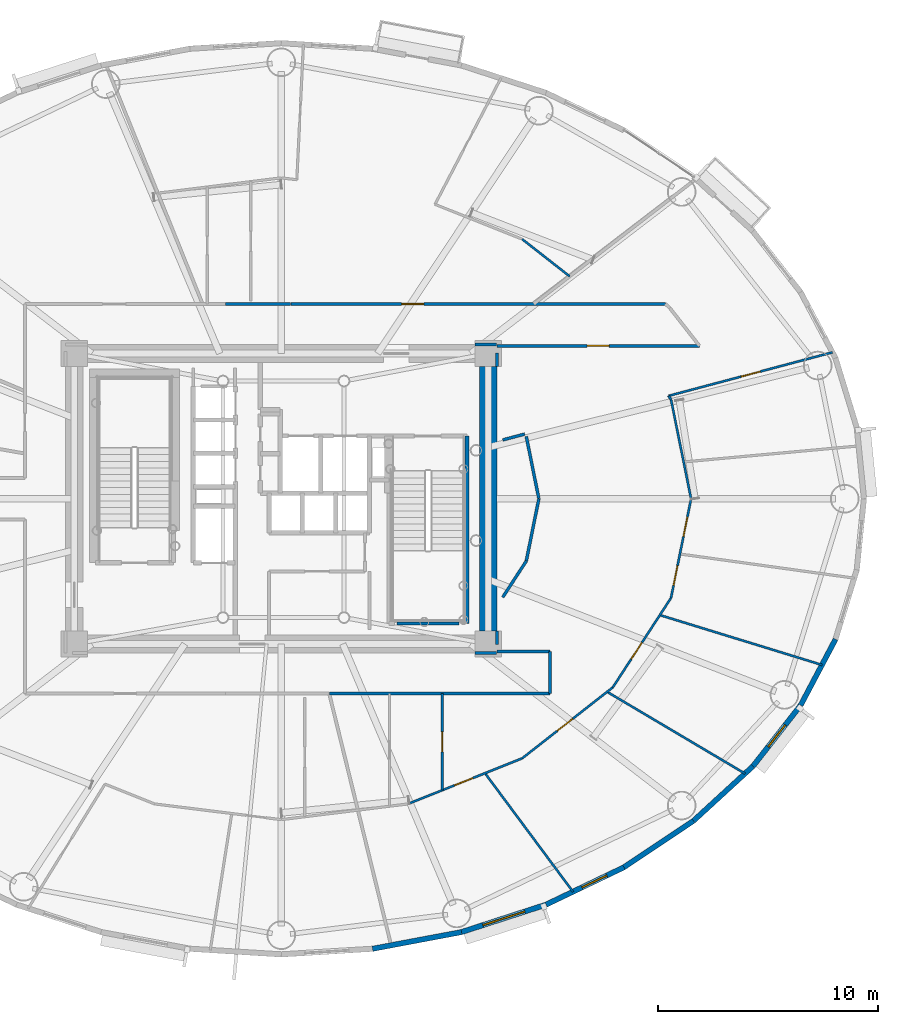
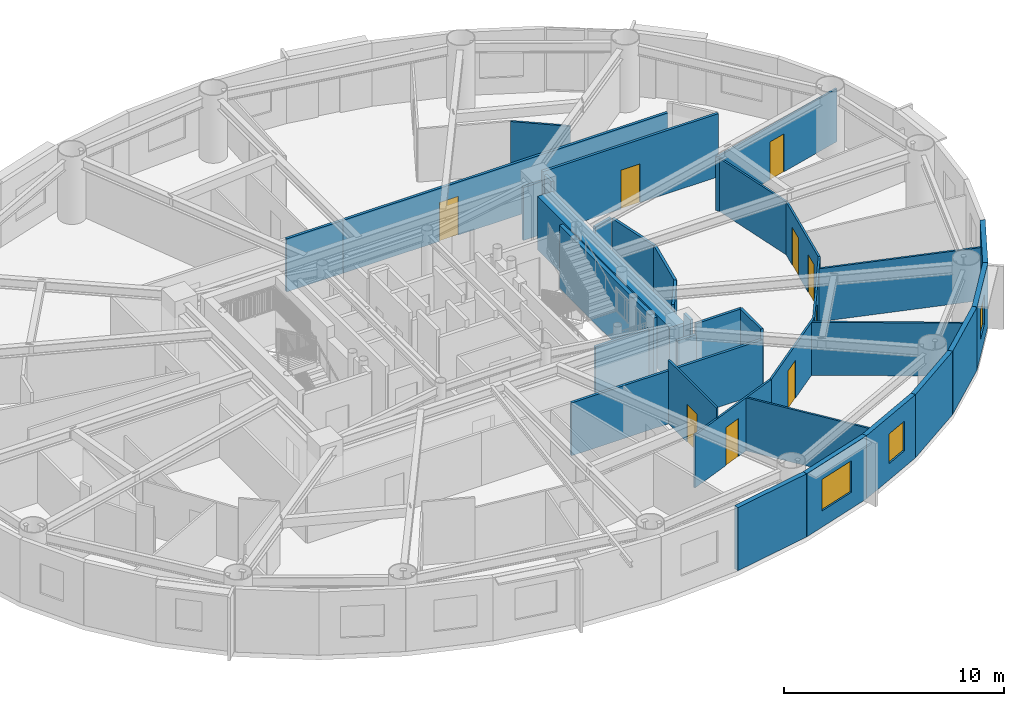
# One storey, part 12 of 21: 36 walls, 9 doors, 3 windows, 12 openings.
"""IFC4 building model written with IfcOpenShell, lengths in metres."""

from ifc_helpers import new_model, si_unit, direction, frame, frame_2d, origin, origin_2d, place, context, subcontext, project, spatial, rectangle, extrude, source, transform, mapped, material, layer, layer_set, type_object, element, fill, save


model = new_model("IFC4")

# Units and contexts
model_context = context("Model", 3, precision=1e-05, world=origin(), true_north=direction((0.0, 1.0)))
body_context = subcontext(model_context, "Body", "Model", "MODEL_VIEW")
ifc_project = project(units=[si_unit("LENGTHUNIT", "METRE"), si_unit("AREAUNIT", "SQUARE_METRE"), si_unit("VOLUMEUNIT", "CUBIC_METRE"), si_unit("PLANEANGLEUNIT", "RADIAN"), si_unit("MASSUNIT", "GRAM", prefix="KILO")], contexts=[model_context])

# Site, building, storey
site_placement = place(None, origin())
site = spatial("IfcSite", under=ifc_project, at=site_placement, CompositionType="ELEMENT")
building_placement = place(site_placement, origin())
building = spatial("IfcBuilding", under=site, at=building_placement, Name="Linh Dai School and Residence Tower", CompositionType="ELEMENT")
storey_placement = place(building_placement, frame((0.0, 0.0, 189.89990234375)))
storey = spatial("IfcBuildingStorey", under=building, at=storey_placement, Name="L46", CompositionType="ELEMENT", Elevation=189.89990234375)

# Wall
ifc_material_1 = material(Name="Precast Concrete B45 (C35/45)", Category="concrete")
ifc_layer_1 = layer(ifc_material_1, 0.239990234375)
ifc_layer_set_1 = layer_set([ifc_layer_1], Name="Precast Concrete B45 (C35/45)")
wall_type_1 = type_object("IfcWallType", Name="EW-TC-240", PredefinedType="SOLIDWALL", material=ifc_layer_set_1)
wall_1_placement = place(storey_placement, frame((44.18896484375, 7.310546875, 0.0), z_axis=(0.0, 0.0, 1.0), x_axis=(-0.982788108205, -0.184736391573, 0.0)))
element("IfcWall", 1, at=wall_1_placement, inside=storey, type_object=wall_type_1, Name="L46 Terracotta Exterior Wall 32", PredefinedType="SOLIDWALL", context=body_context, shape_type="SweptSolid", body=[
    extrude(rectangle(XDim=4.114013671875, YDim=0.239990234375, at=frame_2d((2.05712890625, 0.0))), origin(), (0.0, 0.0, 1.0), 3.5),
])

# Wall, opening, window
wall_2_placement = place(storey_placement, frame((48.02978515625, 8.556396484375, 0.0), z_axis=(0.0, 0.0, 1.0), x_axis=(-0.951209870236, -0.30854462038, 0.0)))
wall_2 = element("IfcWall", 2, at=wall_2_placement, inside=storey, type_object=wall_type_1, Name="L46 Terracotta Exterior Wall 33", PredefinedType="SOLIDWALL", context=body_context, shape_type="SweptSolid", body=[
    extrude(rectangle(XDim=4.037841796875, YDim=0.239990234375, at=frame_2d((2.01904296875, 0.0))), origin(), (0.0, 0.0, 1.0), 3.5),
])
opening_1_placement = place(wall_2_placement, frame((1.01904296875, 0.0, 0.89990234375)))
opening_1 = element("IfcOpeningElement", 3, at=opening_1_placement, cuts=wall_2, Name="Opening W1", PredefinedType="OPENING", context=body_context, shape_type="SweptSolid", body=[
    extrude(rectangle(XDim=2.0, YDim=1.75, at=origin_2d()), frame((1.0, 0.1298828125, 0.875), z_axis=(0.0, -1.0, 0.0), x_axis=(1.0, 0.0, 0.0)), (0.0, 0.0, 1.0), 0.260009765625),
])
ifc_material_2 = material(Name="Double Low-E Insulated Glazing", Category="glass")
window_type_1 = type_object("IfcWindowType", Name="WN-RES-2000x1750", PartitioningType="DOUBLE_PANEL_VERTICAL", PredefinedType="WINDOW", material=ifc_material_2)
shared_shape_1 = source(origin(), body_context, "Body", "SweptSolid", [
    extrude(rectangle(XDim=2.0, YDim=1.75, at=origin_2d()), frame((1.0, 0.030029296875, 0.875), z_axis=(0.0, -1.0, 0.0), x_axis=(1.0, 0.0, 0.0)), (0.0, 0.0, 1.0), 0.06005859375),
])
window_1_placement = place(opening_1_placement, origin())
window_1 = element("IfcWindow", 4, at=window_1_placement, inside=storey, type_object=window_type_1, Name="L46 Exterior Window 33.1", OverallHeight=1.75, OverallWidth=2.0, PartitioningType="DOUBLE_PANEL_VERTICAL", PredefinedType="WINDOW", context=body_context, shape_type="MappedRepresentation", body=[
    mapped(shared_shape_1, transform((0.0, 0.0, 0.0), x_axis=(1.0, 0.0, 0.0), y_axis=(0.0, 1.0, 0.0), z_axis=(0.0, 0.0, 1.0), scale=1.0)),
])
fill(opening_1, window_1)

wall_3_placement = place(storey_placement, frame((51.5732421875, 10.2568359375, 0.0), z_axis=(0.0, 0.0, 1.0), x_axis=(-0.901564733809, -0.432644231155, 0.0)))
wall_3 = element("IfcWall", 5, at=wall_3_placement, inside=storey, type_object=wall_type_1, Name="L46 Terracotta Exterior Wall 34", PredefinedType="SOLIDWALL", context=body_context, shape_type="SweptSolid", body=[
    extrude(rectangle(XDim=3.930419921875, YDim=0.239990234375, at=frame_2d((1.96533203125, 0.0))), origin(), (0.0, 0.0, 1.0), 3.5),
])
opening_2_placement = place(wall_3_placement, frame((0.8681640625, 0.0, 0.89990234375)))
opening_2 = element("IfcOpeningElement", 6, at=opening_2_placement, cuts=wall_3, Name="Opening W3", PredefinedType="OPENING", context=body_context, shape_type="SweptSolid", body=[
    extrude(rectangle(XDim=1.25, YDim=1.64990234375, at=origin_2d()), frame((0.625, 0.1298828125, 0.824951171875), z_axis=(0.0, -1.0, 0.0), x_axis=(1.0, 0.0, 0.0)), (0.0, 0.0, 1.0), 0.260009765625),
])
window_type_2 = type_object("IfcWindowType", Name="WN-RES-1250x1650", PartitioningType="SINGLE_PANEL", PredefinedType="WINDOW", material=ifc_material_2)
shared_shape_2 = source(origin(), body_context, "Body", "SweptSolid", [
    extrude(rectangle(XDim=1.25, YDim=1.64990234375, at=origin_2d()), frame((0.625, 0.030029296875, 0.824951171875), z_axis=(0.0, -1.0, 0.0), x_axis=(1.0, 0.0, 0.0)), (0.0, 0.0, 1.0), 0.06005859375),
])
window_2_placement = place(opening_2_placement, origin())
window_2 = element("IfcWindow", 7, at=window_2_placement, inside=storey, type_object=window_type_2, Name="L46 Exterior Window 34.1", OverallHeight=1.64990234375, OverallWidth=1.25, PartitioningType="SINGLE_PANEL", PredefinedType="WINDOW", context=body_context, shape_type="MappedRepresentation", body=[
    mapped(shared_shape_2, transform((0.0, 0.0, 0.0), x_axis=(1.0, 0.0, 0.0), y_axis=(0.0, 1.0, 0.0), z_axis=(0.0, 0.0, 1.0), scale=1.0)),
])
fill(opening_2, window_2)

# Walls
wall_4_placement = place(storey_placement, frame((54.73193359375, 12.369384765625, 0.0), z_axis=(0.0, 0.0, 1.0), x_axis=(-0.831228998277, -0.555930168657, 0.0)))
element("IfcWall", 8, at=wall_4_placement, inside=storey, type_object=wall_type_1, Name="L46 Terracotta Exterior Wall 35", PredefinedType="SOLIDWALL", context=body_context, shape_type="SweptSolid", body=[
    extrude(rectangle(XDim=3.800048828125, YDim=0.239990234375, at=frame_2d((1.89990234375, 0.0))), origin(), (0.0, 0.0, 1.0), 3.5),
])
wall_5_placement = place(storey_placement, frame((57.42822265625, 14.841552734375, 0.0), z_axis=(0.0, 0.0, 1.0), x_axis=(-0.737076565834, -0.675809245349, 0.0)))
element("IfcWall", 9, at=wall_5_placement, inside=storey, type_object=wall_type_1, Name="L46 Terracotta Exterior Wall 36", PredefinedType="SOLIDWALL", context=body_context, shape_type="SweptSolid", body=[
    extrude(rectangle(XDim=3.658203125, YDim=0.239990234375, at=frame_2d((1.8291015625, 0.0))), origin(), (0.0, 0.0, 1.0), 3.5),
])

# Wall, opening, window
wall_6_placement = place(storey_placement, frame((59.595947265625, 17.611572265625, 0.0), z_axis=(0.0, 0.0, 1.0), x_axis=(-0.616287674549, -0.787521112224, 0.0)))
wall_6 = element("IfcWall", 10, at=wall_6_placement, inside=storey, type_object=wall_type_1, Name="L46 Terracotta Exterior Wall 37", PredefinedType="SOLIDWALL", context=body_context, shape_type="SweptSolid", body=[
    extrude(rectangle(XDim=3.517333984375, YDim=0.239990234375, at=frame_2d((1.7587890625, 0.0))), origin(), (0.0, 0.0, 1.0), 3.5),
])
opening_3_placement = place(wall_6_placement, frame((1.1337890625, 0.0, 0.89990234375)))
opening_3 = element("IfcOpeningElement", 11, at=opening_3_placement, cuts=wall_6, Name="Opening W3", PredefinedType="OPENING", context=body_context, shape_type="SweptSolid", body=[
    extrude(rectangle(XDim=1.25, YDim=1.64990234375, at=origin_2d()), frame((0.625, 0.1298828125, 0.824951171875), z_axis=(0.0, -1.0, 0.0), x_axis=(1.0, 0.0, 0.0)), (0.0, 0.0, 1.0), 0.260009765625),
])
window_3_placement = place(opening_3_placement, origin())
window_3 = element("IfcWindow", 12, at=window_3_placement, inside=storey, type_object=window_type_2, Name="L46 Dwelling Window U4602-BD3", OverallHeight=1.64990234375, OverallWidth=1.25, PartitioningType="SINGLE_PANEL", PredefinedType="WINDOW", context=body_context, shape_type="MappedRepresentation", body=[
    mapped(shared_shape_2, transform((0.0, 0.0, 0.0), x_axis=(1.0, 0.0, 0.0), y_axis=(0.0, 1.0, 0.0), z_axis=(0.0, 0.0, 1.0), scale=1.0)),
])
fill(opening_3, window_3)

# Wall
wall_7_placement = place(storey_placement, frame((61.1826171875, 20.611083984375, 0.0), z_axis=(0.0, 0.0, 1.0), x_axis=(-0.467586874938, -0.88394712194, 0.0)))
element("IfcWall", 13, at=wall_7_placement, inside=storey, type_object=wall_type_1, Name="L46 Terracotta Exterior Wall 38", PredefinedType="SOLIDWALL", context=body_context, shape_type="SweptSolid", body=[
    extrude(rectangle(XDim=3.393310546875, YDim=0.239990234375, at=frame_2d((1.69677734375, 0.0))), origin(), (0.0, 0.0, 1.0), 3.5),
])

# Wall, opening, door
ifc_material_3 = material(Name="Autoclaved Aerated Concrete Blockwork", Category="masonry")
ifc_layer_2 = layer(ifc_material_3, 0.135009765625)
ifc_layer_set_2 = layer_set([ifc_layer_2], Name="Autoclaved Aerated Concrete Blockwork")
wall_type_2 = type_object("IfcWallType", Name="IW-CORR-135-EI90", PredefinedType="PARTITIONING", material=ifc_layer_set_2)
wall_8_placement = place(storey_placement, frame((36.430908203125, 35.85009765625, 0.0), z_axis=(0.0, 0.0, 1.0), x_axis=(1.0, 0.0, 0.0)))
wall_8 = element("IfcWall", 14, at=wall_8_placement, inside=storey, type_object=wall_type_2, Name="L46 Interior Partition Wall 055", PredefinedType="PARTITIONING", context=body_context, shape_type="SweptSolid", body=[
    extrude(rectangle(XDim=17.02294921875, YDim=0.135009765625, at=frame_2d((8.511474609375, 0.0))), origin(), (0.0, 0.0, 1.0), 2.93505859375),
])
opening_4_placement = place(wall_8_placement, frame((5.04248046875, 0.0, 0.0)))
opening_4 = element("IfcOpeningElement", 15, at=opening_4_placement, cuts=wall_8, Name="Opening D03", PredefinedType="OPENING", context=body_context, shape_type="SweptSolid", body=[
    extrude(rectangle(XDim=1.0, YDim=2.14990234375, at=origin_2d()), frame((0.5, 0.07763671875, 1.074951171875), z_axis=(0.0, -1.0, 0.0), x_axis=(1.0, 0.0, 0.0)), (0.0, 0.0, 1.0), 0.155029296875),
])
ifc_material_4 = material(Name="Fire-Rated Solid Timber Entrance Door", Category="wood")
door_type_1 = type_object("IfcDoorType", Name="DR-FLAT-1000x2150-FD60S", OperationType="NOTDEFINED", PredefinedType="DOOR", material=ifc_material_4)
shared_shape_3 = source(origin(), body_context, "Body", "SweptSolid", [
    extrude(rectangle(XDim=1.0, YDim=2.14990234375, at=origin_2d()), frame((0.5, 0.02490234375, 1.074951171875), z_axis=(0.0, -1.0, 0.0), x_axis=(1.0, 0.0, 0.0)), (0.0, 0.0, 1.0), 0.050048828125),
])
door_1_placement = place(opening_4_placement, origin())
door_1 = element("IfcDoor", 16, at=door_1_placement, inside=storey, type_object=door_type_1, Name="L46 U4603 Apartment Entrance Door", OperationType="SINGLE_SWING_LEFT", OverallHeight=2.14990234375, OverallWidth=1.0, PredefinedType="DOOR", context=body_context, shape_type="MappedRepresentation", body=[
    mapped(shared_shape_3, transform((0.0, 0.0, 0.0), x_axis=(1.0, 0.0, 0.0), y_axis=(0.0, 1.0, 0.0), z_axis=(0.0, 0.0, 1.0), scale=1.0)),
])
fill(opening_4, door_1)

# Walls
wall_9_placement = place(storey_placement, frame((38.187744140625, 18.14990234375, 0.0), z_axis=(0.0, 0.0, 1.0), x_axis=(1.0, 0.0, 0.0)))
element("IfcWall", 17, at=wall_9_placement, inside=storey, type_object=wall_type_2, Name="L46 Interior Partition Wall 061", PredefinedType="PARTITIONING", context=body_context, shape_type="SweptSolid", body=[
    extrude(rectangle(XDim=10.01220703125, YDim=0.135009765625, at=frame_2d((5.006103515625, 0.0))), origin(), (0.0, 0.0, 1.0), 2.93505859375),
])
wall_10_placement = place(storey_placement, frame((45.800048828125, 20.050048828125, 0.0), z_axis=(0.0, 0.0, 1.0), x_axis=(1.0, 0.0, 0.0)))
element("IfcWall", 18, at=wall_10_placement, inside=storey, type_object=wall_type_2, Name="L46 Interior Partition Wall 075", PredefinedType="PARTITIONING", context=body_context, shape_type="SweptSolid", body=[
    extrude(rectangle(XDim=2.39990234375, YDim=0.135009765625, at=frame_2d((1.199951171875, 0.0))), origin(), (0.0, 0.0, 1.0), 3.5),
])

# Wall, opening, door
wall_11_placement = place(storey_placement, frame((45.800048828125, 33.949951171875, 0.0), z_axis=(0.0, 0.0, 1.0), x_axis=(1.0, 0.0, 0.0)))
wall_11 = element("IfcWall", 19, at=wall_11_placement, inside=storey, type_object=wall_type_2, Name="L46 Interior Partition Wall 076", PredefinedType="PARTITIONING", context=body_context, shape_type="SweptSolid", body=[
    extrude(rectangle(XDim=9.197021484375, YDim=0.135009765625, at=frame_2d((4.5986328125, 0.0))), origin(), (0.0, 0.0, 1.0), 3.5),
])
opening_5_placement = place(wall_11_placement, frame((4.098388671875, 0.0, 0.0)))
opening_5 = element("IfcOpeningElement", 20, at=opening_5_placement, cuts=wall_11, Name="Opening D03", PredefinedType="OPENING", context=body_context, shape_type="SweptSolid", body=[
    extrude(rectangle(XDim=1.0, YDim=2.14990234375, at=origin_2d()), frame((0.5, 0.07763671875, 1.074951171875), z_axis=(0.0, -1.0, 0.0), x_axis=(1.0, 0.0, 0.0)), (0.0, 0.0, 1.0), 0.155029296875),
])
door_2_placement = place(opening_5_placement, origin())
door_2 = element("IfcDoor", 21, at=door_2_placement, inside=storey, type_object=door_type_1, Name="L46 U4602 Apartment Entrance Door", OperationType="SINGLE_SWING_RIGHT", OverallHeight=2.14990234375, OverallWidth=1.0, PredefinedType="DOOR", context=body_context, shape_type="MappedRepresentation", body=[
    mapped(shared_shape_3, transform((0.0, 0.0, 0.0), x_axis=(1.0, 0.0, 0.0), y_axis=(0.0, 1.0, 0.0), z_axis=(0.0, 0.0, 1.0), scale=1.0)),
])
fill(opening_5, door_2)

# Walls
wall_12_placement = place(storey_placement, frame((48.199951171875, 18.14990234375, 0.0), z_axis=(0.0, 0.0, 1.0), x_axis=(0.0, 1.0, 0.0)))
element("IfcWall", 22, at=wall_12_placement, inside=storey, type_object=wall_type_2, Name="L46 Interior Partition Wall 080", PredefinedType="PARTITIONING", context=body_context, shape_type="SweptSolid", body=[
    extrude(rectangle(XDim=1.900146484375, YDim=0.135009765625, at=frame_2d((0.9501953125, 0.0))), origin(), (0.0, 0.0, 1.0), 3.5),
])
wall_13_placement = place(storey_placement, frame((44.080078125, 21.330078125, 0.0), z_axis=(0.0, 0.0, 1.0), x_axis=(-1.0, 0.0, 0.0)))
element("IfcWall", 23, at=wall_13_placement, inside=storey, type_object=wall_type_2, Name="L46 Interior Partition Wall 092", PredefinedType="PARTITIONING", context=body_context, shape_type="SweptSolid", body=[
    extrude(rectangle(XDim=2.820068359375, YDim=0.135009765625, at=frame_2d((1.41015625, 0.0))), origin(), (0.0, 0.0, 1.0), 3.03515625),
])
wall_14_placement = place(storey_placement, frame((33.46875, 35.85009765625, 0.0), z_axis=(0.0, 0.0, 1.0), x_axis=(1.0, 0.0, 0.0)))
element("IfcWall", 24, at=wall_14_placement, inside=storey, type_object=wall_type_2, Name="L46 Interior Partition Wall 098", PredefinedType="PARTITIONING", context=body_context, shape_type="SweptSolid", body=[
    extrude(rectangle(XDim=2.9521484375, YDim=0.135009765625, at=frame_2d((1.47607421875, 0.0))), origin(), (0.0, 0.0, 1.0), 2.93505859375),
])
for number, where, z_axis, x_axis, name in (
    (25, (45.7900390625, 34.0, 0.0), (0.0, 0.0, 1.0), (-1.0, 0.0, 0.0), "L46 Interior Partition Wall 099"),
    (26, (44.81005859375, 20.0, 0.0), (0.0, 0.0, 1.0), (1.0, 0.0, 0.0), "L46 Interior Partition Wall 104"),
):
    element("IfcWall", number, at=place(storey_placement, frame(where, z_axis=z_axis, x_axis=x_axis)), inside=storey, type_object=wall_type_2, Name=name, PredefinedType="PARTITIONING", context=body_context, shape_type="SweptSolid", body=[
        extrude(rectangle(XDim=0.97998046875, YDim=0.135009765625, at=frame_2d((0.489990234375, 0.0))), origin(), (0.0, 0.0, 1.0), 2.93505859375),
    ])
wall_15_placement = place(storey_placement, frame((45.800048828125, 20.37744140625, 0.0), z_axis=(0.0, 0.0, 1.0), x_axis=(0.0, 1.0, 0.0)))
element("IfcWall", 27, at=wall_15_placement, inside=storey, type_object=wall_type_2, Name="L46 Interior Partition Wall 110", PredefinedType="PARTITIONING", context=body_context, shape_type="SweptSolid", body=[
    extrude(rectangle(XDim=0.612548828125, YDim=0.135009765625, at=frame_2d((0.30615234375, 0.0))), origin(), (0.0, 0.0, 1.0), 3.5),
])
wall_16_placement = place(storey_placement, frame((46.06005859375, 22.521484375, 0.0), z_axis=(0.0, 0.0, 1.0), x_axis=(0.545342221334, 0.838213494064, 0.0)))
element("IfcWall", 28, at=wall_16_placement, inside=storey, type_object=wall_type_2, Name="L46 Interior Partition Wall 111", PredefinedType="PARTITIONING", context=body_context, shape_type="SweptSolid", body=[
    extrude(rectangle(XDim=1.9638671875, YDim=0.135009765625, at=frame_2d((0.98193359375, 0.0))), origin(), (0.0, 0.0, 1.0), 2.93505859375),
])
for number, where, z_axis, x_axis, name in (
    (29, (47.131103515625, 24.167724609375, 0.0), (0.0, 0.0, 1.0), (0.198292837027, 0.980142821625, 0.0), "L46 Interior Partition Wall 112"),
    (30, (47.7041015625, 27.0, 0.0), (0.0, 0.0, 1.0), (-0.198292837027, 0.980142821625, 0.0), "L46 Interior Partition Wall 113"),
):
    element("IfcWall", number, at=place(storey_placement, frame(where, z_axis=z_axis, x_axis=x_axis)), inside=storey, type_object=wall_type_2, Name=name, PredefinedType="PARTITIONING", context=body_context, shape_type="SweptSolid", body=[
        extrude(rectangle(XDim=2.8896484375, YDim=0.135009765625, at=frame_2d((1.44482421875, 0.0))), origin(), (0.0, 0.0, 1.0), 2.93505859375),
    ])
wall_17_placement = place(storey_placement, frame((47.062255859375, 29.938232421875, 0.0), z_axis=(0.0, 0.0, 1.0), x_axis=(-0.966449520919, -0.256856620541, 0.0)))
element("IfcWall", 31, at=wall_17_placement, inside=storey, type_object=wall_type_2, Name="L46 Interior Partition Wall 114", PredefinedType="PARTITIONING", context=body_context, shape_type="SweptSolid", body=[
    extrude(rectangle(XDim=1.037109375, YDim=0.135009765625, at=frame_2d((0.5185546875, 0.0))), origin(), (0.0, 0.0, 1.0), 2.93505859375),
])
wall_18_placement = place(storey_placement, frame((45.800048828125, 33.010009765625, 0.0), z_axis=(0.0, 0.0, 1.0), x_axis=(0.0, 1.0, 0.0)))
element("IfcWall", 32, at=wall_18_placement, inside=storey, type_object=wall_type_2, Name="L46 Interior Partition Wall 115", PredefinedType="PARTITIONING", context=body_context, shape_type="SweptSolid", body=[
    extrude(rectangle(XDim=0.612548828125, YDim=0.135009765625, at=frame_2d((0.30615234375, 0.0))), origin(), (0.0, 0.0, 1.0), 3.5),
])
ifc_material_5 = material(Name="Concrete B45 (C35/45)", Category="concrete")
ifc_layer_3 = layer(ifc_material_5, 0.199951171875)
ifc_layer_set_3 = layer_set([ifc_layer_3], Name="Concrete B45 (C35/45)")
wall_type_3 = type_object("IfcWallType", Name="IW-SHAFT-200-EI120", PredefinedType="PARTITIONING", material=ifc_layer_set_3)
wall_19_placement = place(storey_placement, frame((44.43994140625, 21.330078125, 0.0), z_axis=(0.0, 0.0, 1.0), x_axis=(0.0, 1.0, 0.0)))
element("IfcWall", 33, at=wall_19_placement, inside=storey, type_object=wall_type_3, Name="L46 Interior Partition Wall 073", PredefinedType="PARTITIONING", context=body_context, shape_type="SweptSolid", body=[
    extrude(rectangle(XDim=8.52001953125, YDim=0.199951171875, at=frame_2d((4.260009765625, 0.0))), origin(), (0.0, 0.0, 1.0), 3.5),
])

# Wall, opening, door
ifc_material_6 = material(Name="Gypsum Plasterboard Acoustic Stud Partition", Category="masonry")
ifc_layer_4 = layer(ifc_material_6, 0.10009765625)
ifc_layer_set_4 = layer_set([ifc_layer_4], Name="Gypsum Plasterboard Acoustic Stud Partition")
wall_type_4 = type_object("IfcWallType", Name="IW-UNIT-100", PredefinedType="PARTITIONING", material=ifc_layer_set_4)
wall_20_placement = place(storey_placement, frame((41.75390625, 13.132568359375, 0.0), z_axis=(0.0, 0.0, 1.0), x_axis=(0.928798710424, 0.370584613166, 0.0)))
wall_20 = element("IfcWall", 34, at=wall_20_placement, inside=storey, type_object=wall_type_4, Name="L46 Interior Partition Wall 069", PredefinedType="PARTITIONING", context=body_context, shape_type="SweptSolid", body=[
    extrude(rectangle(XDim=5.588623046875, YDim=0.10009765625, at=frame_2d((2.79443359375, 0.0))), origin(), (0.0, 0.0, 1.0), 2.93505859375),
])
opening_6_placement = place(wall_20_placement, frame((2.27587890625, 0.0, 0.0)))
opening_6 = element("IfcOpeningElement", 35, at=opening_6_placement, cuts=wall_20, Name="Opening D05", PredefinedType="OPENING", context=body_context, shape_type="SweptSolid", body=[
    extrude(rectangle(XDim=0.89990234375, YDim=2.10009765625, at=origin_2d()), frame((0.449951171875, 0.06005859375, 1.050048828125), z_axis=(0.0, -1.0, 0.0), x_axis=(1.0, 0.0, 0.0)), (0.0, 0.0, 1.0), 0.1201171875),
])
ifc_material_7 = material(Name="Engineered Timber Internal Door", Category="wood")
door_type_2 = type_object("IfcDoorType", Name="DR-INT-900x2100", OperationType="NOTDEFINED", PredefinedType="DOOR", material=ifc_material_7)
shared_shape_4 = source(origin(), body_context, "Body", "SweptSolid", [
    extrude(rectangle(XDim=0.89990234375, YDim=2.10009765625, at=origin_2d()), frame((0.449951171875, 0.02490234375, 1.050048828125), z_axis=(0.0, -1.0, 0.0), x_axis=(1.0, 0.0, 0.0)), (0.0, 0.0, 1.0), 0.050048828125),
])
door_3_placement = place(opening_6_placement, origin())
door_3 = element("IfcDoor", 36, at=door_3_placement, inside=storey, type_object=door_type_2, Name="L46 Apartment U4602 Principal Bedroom 1 Door", OperationType="SINGLE_SWING_LEFT", OverallHeight=2.10009765625, OverallWidth=0.89990234375, PredefinedType="DOOR", context=body_context, shape_type="MappedRepresentation", body=[
    mapped(shared_shape_4, transform((0.0, 0.0, 0.0), x_axis=(1.0, 0.0, 0.0), y_axis=(0.0, 1.0, 0.0), z_axis=(0.0, 0.0, 1.0), scale=1.0)),
])
fill(opening_6, door_3)

wall_21_placement = place(storey_placement, frame((43.316162109375, 13.755859375, 0.0), z_axis=(0.0, 0.0, 1.0), x_axis=(0.0, 1.0, 0.0)))
wall_21 = element("IfcWall", 37, at=wall_21_placement, inside=storey, type_object=wall_type_4, Name="L46 Interior Partition Wall 072", PredefinedType="PARTITIONING", context=body_context, shape_type="SweptSolid", body=[
    extrude(rectangle(XDim=4.39404296875, YDim=0.10009765625, at=frame_2d((2.197021484375, 0.0))), origin(), (0.0, 0.0, 1.0), 3.5),
])
opening_7_placement = place(wall_21_placement, frame((1.7470703125, 0.0, 0.0)))
opening_7 = element("IfcOpeningElement", 38, at=opening_7_placement, cuts=wall_21, Name="Opening D05", PredefinedType="OPENING", context=body_context, shape_type="SweptSolid", body=[
    extrude(rectangle(XDim=0.89990234375, YDim=2.10009765625, at=origin_2d()), frame((0.449951171875, 0.06005859375, 1.050048828125), z_axis=(0.0, -1.0, 0.0), x_axis=(1.0, 0.0, 0.0)), (0.0, 0.0, 1.0), 0.1201171875),
])
door_4_placement = place(opening_7_placement, origin())
door_4 = element("IfcDoor", 39, at=door_4_placement, inside=storey, type_object=door_type_2, Name="L46 Apartment U4602 Kitchen Door", OperationType="SINGLE_SWING_LEFT", OverallHeight=2.10009765625, OverallWidth=0.89990234375, PredefinedType="DOOR", context=body_context, shape_type="MappedRepresentation", body=[
    mapped(shared_shape_4, transform((0.0, 0.0, 0.0), x_axis=(1.0, 0.0, 0.0), y_axis=(0.0, 1.0, 0.0), z_axis=(0.0, 0.0, 1.0), scale=1.0)),
])
fill(opening_7, door_4)

# Wall
wall_22_placement = place(storey_placement, frame((45.25537109375, 14.52978515625, 0.0), z_axis=(0.0, 0.0, 1.0), x_axis=(0.595983117275, -0.802996963832, 0.0)))
element("IfcWall", 40, at=wall_22_placement, inside=storey, type_object=wall_type_4, Name="L46 Interior Partition Wall 074", PredefinedType="PARTITIONING", context=body_context, shape_type="SweptSolid", body=[
    extrude(rectangle(XDim=6.712890625, YDim=0.10009765625, at=frame_2d((3.3564453125, 0.0))), origin(), (0.0, 0.0, 1.0), 2.93505859375),
])

# Wall, opening, door
wall_23_placement = place(storey_placement, frame((46.944580078125, 15.20361328125, 0.0), z_axis=(0.0, 0.0, 1.0), x_axis=(0.787322805473, 0.61654099619, 0.0)))
wall_23 = element("IfcWall", 41, at=wall_23_placement, inside=storey, type_object=wall_type_4, Name="L46 Interior Partition Wall 077", PredefinedType="PARTITIONING", context=body_context, shape_type="SweptSolid", body=[
    extrude(rectangle(XDim=5.232177734375, YDim=0.10009765625, at=frame_2d((2.6162109375, 0.0))), origin(), (0.0, 0.0, 1.0), 2.93505859375),
])
opening_8_placement = place(wall_23_placement, frame((2.021240234375, 0.0, 0.0)))
opening_8 = element("IfcOpeningElement", 42, at=opening_8_placement, cuts=wall_23, Name="Opening D05", PredefinedType="OPENING", context=body_context, shape_type="SweptSolid", body=[
    extrude(rectangle(XDim=0.89990234375, YDim=2.10009765625, at=origin_2d()), frame((0.449951171875, 0.06005859375, 1.050048828125), z_axis=(0.0, -1.0, 0.0), x_axis=(1.0, 0.0, 0.0)), (0.0, 0.0, 1.0), 0.1201171875),
])
door_5_placement = place(opening_8_placement, origin())
door_5 = element("IfcDoor", 43, at=door_5_placement, inside=storey, type_object=door_type_2, Name="L46 Apartment U4602 Principal Bedroom 2 Door", OperationType="SINGLE_SWING_RIGHT", OverallHeight=2.10009765625, OverallWidth=0.89990234375, PredefinedType="DOOR", context=body_context, shape_type="MappedRepresentation", body=[
    mapped(shared_shape_4, transform((0.0, 0.0, 0.0), x_axis=(1.0, 0.0, 0.0), y_axis=(0.0, 1.0, 0.0), z_axis=(0.0, 0.0, 1.0), scale=1.0)),
])
fill(opening_8, door_5)

# Walls
wall_24_placement = place(storey_placement, frame((46.944580078125, 38.79638671875, 0.0), z_axis=(0.0, 0.0, 1.0), x_axis=(0.787296465136, -0.616574631317, 0.0)))
element("IfcWall", 44, at=wall_24_placement, inside=storey, type_object=wall_type_4, Name="L46 Interior Partition Wall 078", PredefinedType="PARTITIONING", context=body_context, shape_type="SweptSolid", body=[
    extrude(rectangle(XDim=2.742919921875, YDim=0.10009765625, at=frame_2d((1.37158203125, 0.0))), origin(), (0.0, 0.0, 1.0), 2.93505859375),
])
wall_25_placement = place(storey_placement, frame((50.80419921875, 18.22607421875, 0.0), z_axis=(0.0, 0.0, 1.0), x_axis=(0.860276297954, -0.509828099636, 0.0)))
element("IfcWall", 45, at=wall_25_placement, inside=storey, type_object=wall_type_4, Name="L46 Interior Partition Wall 081", PredefinedType="PARTITIONING", context=body_context, shape_type="SweptSolid", body=[
    extrude(rectangle(XDim=7.288330078125, YDim=0.10009765625, at=frame_2d((3.64404296875, 0.0))), origin(), (0.0, 0.0, 1.0), 2.93505859375),
])

# Wall, opening, door
wall_26_placement = place(storey_placement, frame((51.06396484375, 18.429443359375, 0.0), z_axis=(0.0, 0.0, 1.0), x_axis=(0.545382906853, 0.838187022634, 0.0)))
wall_26 = element("IfcWall", 46, at=wall_26_placement, inside=storey, type_object=wall_type_4, Name="L46 Interior Partition Wall 082", PredefinedType="PARTITIONING", context=body_context, shape_type="SweptSolid", body=[
    extrude(rectangle(XDim=4.849365234375, YDim=0.10009765625, at=frame_2d((2.4248046875, 0.0))), origin(), (0.0, 0.0, 1.0), 2.93505859375),
])
opening_9_placement = place(wall_26_placement, frame((1.529296875, 0.0, 0.0)))
opening_9 = element("IfcOpeningElement", 47, at=opening_9_placement, cuts=wall_26, Name="Opening D05", PredefinedType="OPENING", context=body_context, shape_type="SweptSolid", body=[
    extrude(rectangle(XDim=0.89990234375, YDim=2.10009765625, at=origin_2d()), frame((0.449951171875, 0.06005859375, 1.050048828125), z_axis=(0.0, -1.0, 0.0), x_axis=(1.0, 0.0, 0.0)), (0.0, 0.0, 1.0), 0.1201171875),
])
door_6_placement = place(opening_9_placement, origin())
door_6 = element("IfcDoor", 48, at=door_6_placement, inside=storey, type_object=door_type_2, Name="L46 Apartment U4602 Principal Bedroom 3 Door", OperationType="SINGLE_SWING_LEFT", OverallHeight=2.10009765625, OverallWidth=0.89990234375, PredefinedType="DOOR", context=body_context, shape_type="MappedRepresentation", body=[
    mapped(shared_shape_4, transform((0.0, 0.0, 0.0), x_axis=(1.0, 0.0, 0.0), y_axis=(0.0, 1.0, 0.0), z_axis=(0.0, 0.0, 1.0), scale=1.0)),
])
fill(opening_9, door_6)

# Walls
wall_27_placement = place(storey_placement, frame((53.200927734375, 21.7138671875, 0.0), z_axis=(0.0, 0.0, 1.0), x_axis=(0.955880247412, -0.293756621386, 0.0)))
element("IfcWall", 49, at=wall_27_placement, inside=storey, type_object=wall_type_4, Name="L46 Interior Partition Wall 083", PredefinedType="PARTITIONING", context=body_context, shape_type="SweptSolid", body=[
    extrude(rectangle(XDim=7.712646484375, YDim=0.10009765625, at=frame_2d((3.8564453125, 0.0))), origin(), (0.0, 0.0, 1.0), 2.93505859375),
])
wall_28_placement = place(storey_placement, frame((53.59912109375, 31.67431640625, 0.0), z_axis=(0.0, 0.0, 1.0), x_axis=(0.545415251213, -0.838165976251, 0.0)))
element("IfcWall", 50, at=wall_28_placement, inside=storey, type_object=wall_type_4, Name="L46 Interior Partition Wall 085", PredefinedType="PARTITIONING", context=body_context, shape_type="SweptSolid", body=[
    extrude(rectangle(XDim=0.200927734375, YDim=0.10009765625, at=frame_2d((0.1005859375, 0.0))), origin(), (0.0, 0.0, 1.0), 2.93505859375),
])

# Wall, opening, door
wall_29_placement = place(storey_placement, frame((53.59912109375, 31.67431640625, 0.0), z_axis=(0.0, 0.0, 1.0), x_axis=(0.966493108364, 0.256692562193, 0.0)))
wall_29 = element("IfcWall", 51, at=wall_29_placement, inside=storey, type_object=wall_type_4, Name="L46 Interior Partition Wall 086", PredefinedType="PARTITIONING", context=body_context, shape_type="SweptSolid", body=[
    extrude(rectangle(XDim=7.707763671875, YDim=0.10009765625, at=frame_2d((3.85400390625, 0.0))), origin(), (0.0, 0.0, 1.0), 2.93505859375),
])
opening_10_placement = place(wall_29_placement, frame((3.40380859375, 0.0, 0.0)))
opening_10 = element("IfcOpeningElement", 52, at=opening_10_placement, cuts=wall_29, Name="Opening D05", PredefinedType="OPENING", context=body_context, shape_type="SweptSolid", body=[
    extrude(rectangle(XDim=0.89990234375, YDim=2.10009765625, at=origin_2d()), frame((0.449951171875, 0.06005859375, 1.050048828125), z_axis=(0.0, -1.0, 0.0), x_axis=(1.0, 0.0, 0.0)), (0.0, 0.0, 1.0), 0.1201171875),
])
door_7_placement = place(opening_10_placement, origin())
door_7 = element("IfcDoor", 53, at=door_7_placement, inside=storey, type_object=door_type_2, Name="L46 Apartment U4602 Study Door", OperationType="SINGLE_SWING_RIGHT", OverallHeight=2.10009765625, OverallWidth=0.89990234375, PredefinedType="DOOR", context=body_context, shape_type="MappedRepresentation", body=[
    mapped(shared_shape_4, transform((0.0, 0.0, 0.0), x_axis=(1.0, 0.0, 0.0), y_axis=(0.0, 1.0, 0.0), z_axis=(0.0, 0.0, 1.0), scale=1.0)),
])
fill(opening_10, door_7)

# Wall, openings, doors
wall_30_placement = place(storey_placement, frame((53.708740234375, 22.494140625, 0.0), z_axis=(0.0, 0.0, 1.0), x_axis=(0.19825018224, 0.980151450155, 0.0)))
wall_30 = element("IfcWall", 54, at=wall_30_placement, inside=storey, type_object=wall_type_4, Name="L46 Interior Partition Wall 088", PredefinedType="PARTITIONING", context=body_context, shape_type="SweptSolid", body=[
    extrude(rectangle(XDim=4.59716796875, YDim=0.10009765625, at=frame_2d((2.298583984375, 0.0))), origin(), (0.0, 0.0, 1.0), 2.93505859375),
])
opening_11_placement = place(wall_30_placement, frame((0.588134765625, 0.0, 0.0)))
opening_11 = element("IfcOpeningElement", 55, at=opening_11_placement, cuts=wall_30, Name="Opening D05", PredefinedType="OPENING", context=body_context, shape_type="SweptSolid", body=[
    extrude(rectangle(XDim=0.89990234375, YDim=2.10009765625, at=origin_2d()), frame((0.449951171875, 0.06005859375, 1.050048828125), z_axis=(0.0, -1.0, 0.0), x_axis=(1.0, 0.0, 0.0)), (0.0, 0.0, 1.0), 0.1201171875),
])
opening_12_placement = place(wall_30_placement, frame((2.8466796875, 0.0, 0.0)))
opening_12 = element("IfcOpeningElement", 56, at=opening_12_placement, cuts=wall_30, Name="Opening D05", PredefinedType="OPENING", context=body_context, shape_type="SweptSolid", body=[
    extrude(rectangle(XDim=0.89990234375, YDim=2.10009765625, at=origin_2d()), frame((0.449951171875, 0.06005859375, 1.050048828125), z_axis=(0.0, -1.0, 0.0), x_axis=(1.0, 0.0, 0.0)), (0.0, 0.0, 1.0), 0.1201171875),
])
door_8_placement = place(opening_11_placement, origin())
door_8 = element("IfcDoor", 57, at=door_8_placement, inside=storey, type_object=door_type_2, Name="L46 Apartment U4602 Study Door", OperationType="SINGLE_SWING_RIGHT", OverallHeight=2.10009765625, OverallWidth=0.89990234375, PredefinedType="DOOR", context=body_context, shape_type="MappedRepresentation", body=[
    mapped(shared_shape_4, transform((0.0, 0.0, 0.0), x_axis=(1.0, 0.0, 0.0), y_axis=(0.0, 1.0, 0.0), z_axis=(0.0, 0.0, 1.0), scale=1.0)),
])
fill(opening_11, door_8)
door_9_placement = place(opening_12_placement, origin())
door_9 = element("IfcDoor", 58, at=door_9_placement, inside=storey, type_object=door_type_2, Name="L46 Apartment U4602 Principal Bedroom 4 Door", OperationType="SINGLE_SWING_LEFT", OverallHeight=2.10009765625, OverallWidth=0.89990234375, PredefinedType="DOOR", context=body_context, shape_type="MappedRepresentation", body=[
    mapped(shared_shape_4, transform((0.0, 0.0, 0.0), x_axis=(1.0, 0.0, 0.0), y_axis=(0.0, 1.0, 0.0), z_axis=(0.0, 0.0, 1.0), scale=1.0)),
])
fill(opening_12, door_9)

# Walls
wall_31_placement = place(storey_placement, frame((53.708740234375, 31.505859375, 0.0), z_axis=(0.0, 0.0, 1.0), x_axis=(0.198209478932, -0.980159682124, 0.0)))
element("IfcWall", 59, at=wall_31_placement, inside=storey, type_object=wall_type_4, Name="L46 Interior Partition Wall 089", PredefinedType="PARTITIONING", context=body_context, shape_type="SweptSolid", body=[
    extrude(rectangle(XDim=4.596923828125, YDim=0.10009765625, at=frame_2d((2.29833984375, 0.0))), origin(), (0.0, 0.0, 1.0), 2.93505859375),
])
ifc_material_8 = material(Name="Concrete B60 (C50/60)", Category="concrete")
ifc_layer_5 = layer(ifc_material_8, 0.800048828125)
ifc_layer_set_5 = layer_set([ifc_layer_5], Name="Concrete B60 (C50/60)")
wall_type_5 = type_object("IfcWallType", Name="WL-CORE800", PredefinedType="SHEAR", material=ifc_layer_set_5)
wall_32_placement = place(storey_placement, frame((45.39990234375, 33.0, 0.0), z_axis=(0.0, 0.0, 1.0), x_axis=(0.0, -1.0, 0.0)))
element("IfcWall", 60, at=wall_32_placement, inside=storey, type_object=wall_type_5, Name="L46 Central Core Shear Wall E", PredefinedType="SHEAR", context=body_context, shape_type="SweptSolid", body=[
    extrude(rectangle(XDim=12.0, YDim=0.800048828125, at=frame_2d((6.0, 0.0))), origin(), (0.0, 0.0, 1.0), 2.9501953125),
])

save(model, "model.ifc")
